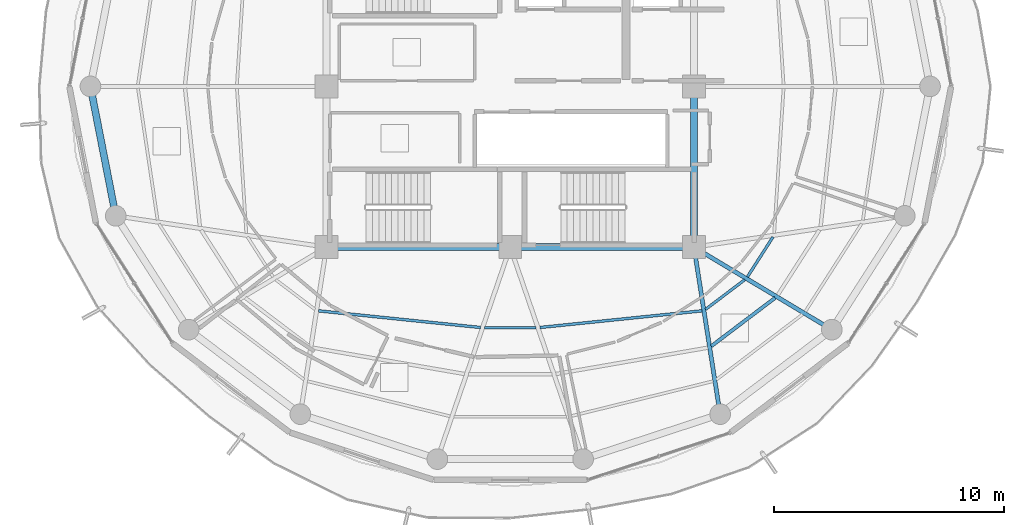
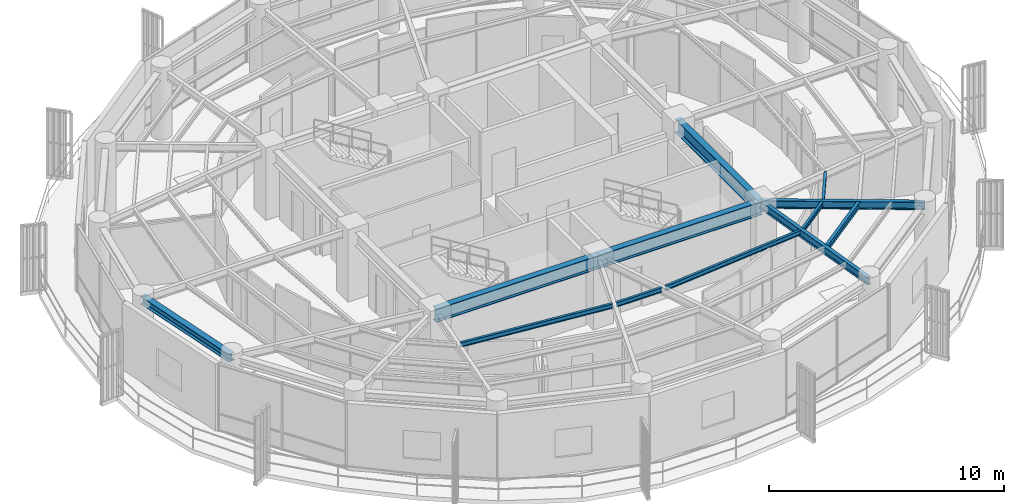
# One storey, part 6 of 23: 12 beams.
"""IFC4 building model written with IfcOpenShell, lengths in metres."""

from ifc_helpers import new_model, si_unit, direction, frame, origin, origin_2d, place, context, subcontext, project, spatial, i_section, extrude, material, material_profile, profile_set, type_object, element, save


model = new_model("IFC4")

# Units and contexts
model_context = context("Model", 3, precision=1e-05, world=origin(), true_north=direction((0.0, 1.0)))
body_context = subcontext(model_context, "Body", "Model", "MODEL_VIEW")
ifc_project = project(units=[si_unit("LENGTHUNIT", "METRE"), si_unit("AREAUNIT", "SQUARE_METRE"), si_unit("VOLUMEUNIT", "CUBIC_METRE"), si_unit("PLANEANGLEUNIT", "RADIAN"), si_unit("MASSUNIT", "GRAM", prefix="KILO")], contexts=[model_context])

# Site, building, storey
site_placement = place(None, origin())
site = spatial("IfcSite", under=ifc_project, at=site_placement, CompositionType="ELEMENT")
building_placement = place(site_placement, origin())
building = spatial("IfcBuilding", under=site, at=building_placement, Name="Kelanora Arch Commons", CompositionType="ELEMENT")
storey_placement = place(building_placement, frame((0.0, 0.0, 286.199951171875)))
storey = spatial("IfcBuildingStorey", under=building, at=storey_placement, Name="L73", CompositionType="ELEMENT", Elevation=286.199951171875)

# Beams
ifc_material = material(Name="Steel S355", Category="steel")
ifc_material_profile_1 = material_profile(ifc_material, i_section(OverallWidth=0.300048828125, OverallDepth=0.699951171875, WebThickness=0.01708984375, FlangeThickness=0.031982421875, FilletRadius=0.027099609375, at=origin_2d()), Name="HEB700")
ifc_profile_set_1 = profile_set([ifc_material_profile_1], Name="Steel S355")
beam_type_1 = type_object("IfcBeamType", Name="BM-CORE-HDR", PredefinedType="BEAM", material=ifc_profile_set_1)
for number, where, z_axis, x_axis, name in (
    (1, (66.0, 51.0, 3.14013671875), (1.0, 0.0, 0.0), (0.0, 1.0, 0.0), "Core Header Beam 01 L73"),
    (2, (74.0, 51.0, 3.14013671875), (1.0, 0.0, 0.0), (0.0, 1.0, 0.0), "Core Header Beam 02 L73"),
):
    element("IfcBeam", number, at=place(storey_placement, frame(where, z_axis=z_axis, x_axis=x_axis)), inside=storey, type_object=beam_type_1, Name=name, PredefinedType="BEAM", context=body_context, shape_type="SweptSolid", body=[
        extrude(i_section(OverallWidth=0.300048828125, OverallDepth=0.699951171875, WebThickness=0.01708984375, FlangeThickness=0.031982421875, FilletRadius=0.027099609375, at=origin_2d()), origin(), (0.0, 0.0, 1.0), 8.0),
    ])
beam_1_placement = place(storey_placement, frame((82.0, 51.0, 3.14013671875), z_axis=(0.0, 1.0, 0.0), x_axis=(-1.0, 0.0, 0.0)))
element("IfcBeam", 3, at=beam_1_placement, inside=storey, type_object=beam_type_1, Name="Core Header Beam 03 L73", PredefinedType="BEAM", context=body_context, shape_type="SweptSolid", body=[
    extrude(i_section(OverallWidth=0.300048828125, OverallDepth=0.699951171875, WebThickness=0.01708984375, FlangeThickness=0.031982421875, FilletRadius=0.027099609375, at=origin_2d()), origin(), (0.0, 0.0, 1.0), 7.0),
])
ifc_material_profile_2 = material_profile(ifc_material, i_section(OverallWidth=0.14990234375, OverallDepth=0.300048828125, WebThickness=0.007080078125, FlangeThickness=0.0107421875, FilletRadius=0.014892578125, at=origin_2d()), Name="IPE300")
ifc_profile_set_2 = profile_set([ifc_material_profile_2], Name="Steel S355")
beam_type_2 = type_object("IfcBeamType", Name="BM-JST-01", PredefinedType="JOIST", material=ifc_profile_set_2)
beam_2_placement = place(storey_placement, frame((82.751708984375, 46.68798828125, 3.340087890625), z_axis=(0.797499198801, 0.603320004568, 0.0), x_axis=(-0.603320004568, 0.797499198801, 0.0)))
element("IfcBeam", 4, at=beam_2_placement, inside=storey, type_object=beam_type_2, Name="Secondary Chord Joist BJB-30 L73", PredefinedType="JOIST", context=body_context, shape_type="SweptSolid", body=[
    extrude(i_section(OverallWidth=0.14990234375, OverallDepth=0.300048828125, WebThickness=0.007080078125, FlangeThickness=0.0107421875, FilletRadius=0.014892578125, at=origin_2d()), origin(), (0.0, 0.0, 1.0), 3.489013671875),
])
ifc_material_profile_3 = material_profile(ifc_material, i_section(OverallWidth=0.1201171875, OverallDepth=0.239990234375, WebThickness=0.006103515625, FlangeThickness=0.009765625, FilletRadius=0.014892578125, at=origin_2d()), Name="IPE240")
ifc_profile_set_3 = profile_set([ifc_material_profile_3], Name="Steel S355")
beam_type_3 = type_object("IfcBeamType", Name="BM-JST-02", PredefinedType="JOIST", material=ifc_profile_set_3)
beam_3_placement = place(storey_placement, frame((65.6513671875, 48.227783203125, 3.3701171875), z_axis=(0.994746545688, -0.102368500239, 0.0), x_axis=(0.102368500239, 0.994746545688, 0.0)))
element("IfcBeam", 5, at=beam_3_placement, inside=storey, type_object=beam_type_3, Name="Secondary Chord Joist BJA-24 L73", PredefinedType="JOIST", context=body_context, shape_type="SweptSolid", body=[
    extrude(i_section(OverallWidth=0.1201171875, OverallDepth=0.239990234375, WebThickness=0.006103515625, FlangeThickness=0.009765625, FilletRadius=0.014892578125, at=origin_2d()), origin(), (0.0, 0.0, 1.0), 7.09521484375),
])
beam_4_placement = place(storey_placement, frame((72.87890625, 47.492919921875, 3.3701171875), z_axis=(1.0, 0.0, 0.0), x_axis=(0.0, 1.0, 0.0)))
element("IfcBeam", 6, at=beam_4_placement, inside=storey, type_object=beam_type_3, Name="Secondary Chord Joist BJA-26 L73", PredefinedType="JOIST", context=body_context, shape_type="SweptSolid", body=[
    extrude(i_section(OverallWidth=0.1201171875, OverallDepth=0.239990234375, WebThickness=0.006103515625, FlangeThickness=0.009765625, FilletRadius=0.014892578125, at=origin_2d()), origin(), (0.0, 0.0, 1.0), 2.2421875),
])
beam_5_placement = place(storey_placement, frame((75.290771484375, 47.50146484375, 3.3701171875), z_axis=(0.994746545688, 0.102368500239, 0.0), x_axis=(-0.102368500239, 0.994746545688, 0.0)))
element("IfcBeam", 7, at=beam_5_placement, inside=storey, type_object=beam_type_3, Name="Secondary Chord Joist BJA-28 L73", PredefinedType="JOIST", context=body_context, shape_type="SweptSolid", body=[
    extrude(i_section(OverallWidth=0.1201171875, OverallDepth=0.239990234375, WebThickness=0.006103515625, FlangeThickness=0.009765625, FilletRadius=0.014892578125, at=origin_2d()), origin(), (0.0, 0.0, 1.0), 7.09521484375),
])
beam_6_placement = place(storey_placement, frame((82.5009765625, 48.287841796875, 3.3701171875), z_axis=(0.797509883882, 0.603305880222, 0.0), x_axis=(-0.603305880222, 0.797509883882, 0.0)))
element("IfcBeam", 8, at=beam_6_placement, inside=storey, type_object=beam_type_3, Name="Secondary Chord Joist BJA-30 L73", PredefinedType="JOIST", context=body_context, shape_type="SweptSolid", body=[
    extrude(i_section(OverallWidth=0.1201171875, OverallDepth=0.239990234375, WebThickness=0.006103515625, FlangeThickness=0.009765625, FilletRadius=0.014892578125, at=origin_2d()), origin(), (0.0, 0.0, 1.0), 2.147216796875),
])
beam_7_placement = place(storey_placement, frame((84.3271484375, 49.706298828125, 3.3701171875), z_axis=(0.539311810315, 0.842106152011, 0.0), x_axis=(-0.842106152011, 0.539311810315, 0.0)))
element("IfcBeam", 9, at=beam_7_placement, inside=storey, type_object=beam_type_3, Name="Secondary Chord Joist BJA-32 L73", PredefinedType="JOIST", context=body_context, shape_type="SweptSolid", body=[
    extrude(i_section(OverallWidth=0.1201171875, OverallDepth=0.239990234375, WebThickness=0.006103515625, FlangeThickness=0.009765625, FilletRadius=0.014892578125, at=origin_2d()), origin(), (0.0, 0.0, 1.0), 2.06640625),
])
ifc_material_profile_4 = material_profile(ifc_material, i_section(OverallWidth=0.179931640625, OverallDepth=0.39990234375, WebThickness=0.008544921875, FlangeThickness=0.013427734375, FilletRadius=0.02099609375, at=origin_2d()), Name="IPE400")
ifc_profile_set_4 = profile_set([ifc_material_profile_4], Name="Steel S355")
beam_type_4 = type_object("IfcBeamType", Name="BM-RAD-Z5", PredefinedType="BEAM", material=ifc_profile_set_4)
beam_8_placement = place(storey_placement, frame((82.0, 51.0, 3.2900390625), z_axis=(0.154855424129, -0.987937142544, 0.0), x_axis=(0.987937142544, 0.154855424129, 0.0)))
element("IfcBeam", 10, at=beam_8_placement, inside=storey, type_object=beam_type_4, Name="Radial Floor Girder BR-30 L73", PredefinedType="BEAM", context=body_context, shape_type="SweptSolid", body=[
    extrude(i_section(OverallWidth=0.179931640625, OverallDepth=0.39990234375, WebThickness=0.008544921875, FlangeThickness=0.013427734375, FilletRadius=0.02099609375, at=origin_2d()), origin(), (0.0, 0.0, 1.0), 7.361083984375),
])
beam_9_placement = place(storey_placement, frame((82.0, 51.0, 3.2900390625), z_axis=(0.858062005744, -0.513546097541, 0.0), x_axis=(0.513546097541, 0.858062005744, 0.0)))
element("IfcBeam", 11, at=beam_9_placement, inside=storey, type_object=beam_type_4, Name="Radial Floor Girder BR-32 L73", PredefinedType="BEAM", context=body_context, shape_type="SweptSolid", body=[
    extrude(i_section(OverallWidth=0.179931640625, OverallDepth=0.39990234375, WebThickness=0.008544921875, FlangeThickness=0.013427734375, FilletRadius=0.02099609375, at=origin_2d()), origin(), (0.0, 0.0, 1.0), 6.99658203125),
])
ifc_material_profile_5 = material_profile(ifc_material, i_section(OverallWidth=0.300048828125, OverallDepth=0.39990234375, WebThickness=0.013427734375, FlangeThickness=0.02392578125, FilletRadius=0.027099609375, at=origin_2d()), Name="HEB400")
ifc_profile_set_5 = profile_set([ifc_material_profile_5], Name="Steel S355")
beam_type_5 = type_object("IfcBeamType", Name="BM-SPN-Z4", PredefinedType="SPANDREL", material=ifc_profile_set_5)
beam_10_placement = place(storey_placement, frame((55.719970703125, 58.0, 3.2900390625), z_axis=(0.191969774604, -0.981400838413, 0.0), x_axis=(0.981400838413, 0.191969774604, 0.0)))
element("IfcBeam", 12, at=beam_10_placement, inside=storey, type_object=beam_type_5, Name="Perimeter Spandrel Beam BS-18 L73", PredefinedType="SPANDREL", context=body_context, shape_type="SweptSolid", body=[
    extrude(i_section(OverallWidth=0.300048828125, OverallDepth=0.39990234375, WebThickness=0.013427734375, FlangeThickness=0.02392578125, FilletRadius=0.027099609375, at=origin_2d()), origin(), (0.0, 0.0, 1.0), 5.743408203125),
])

save(model, "model.ifc")
